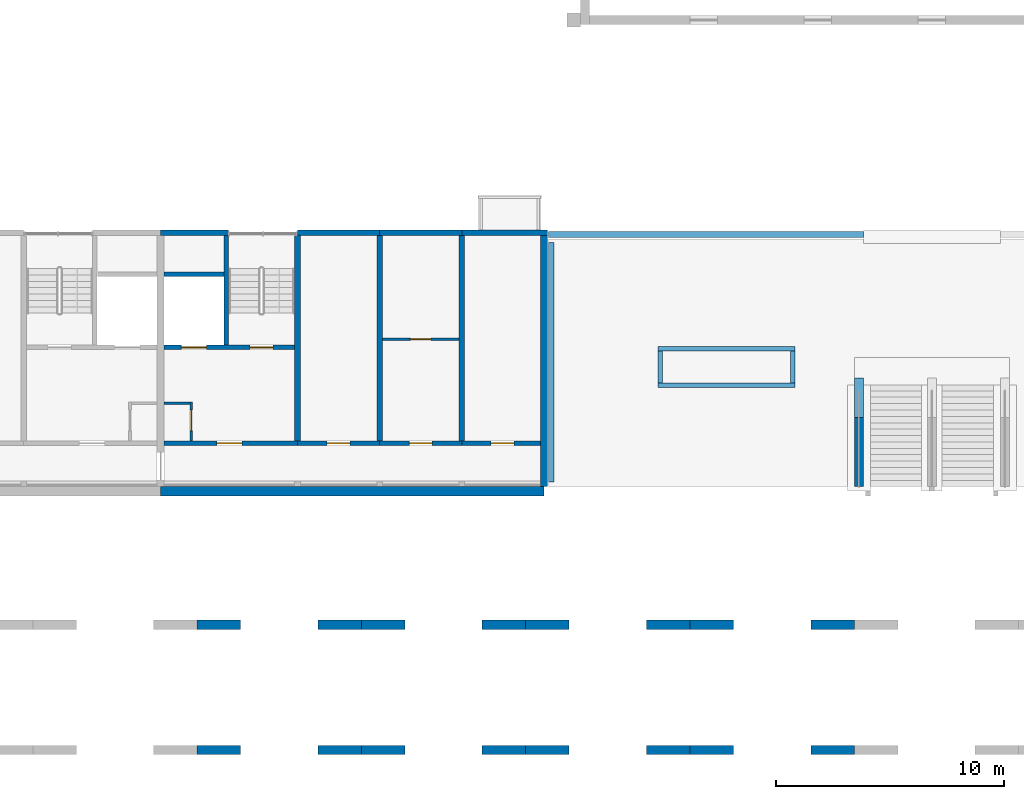
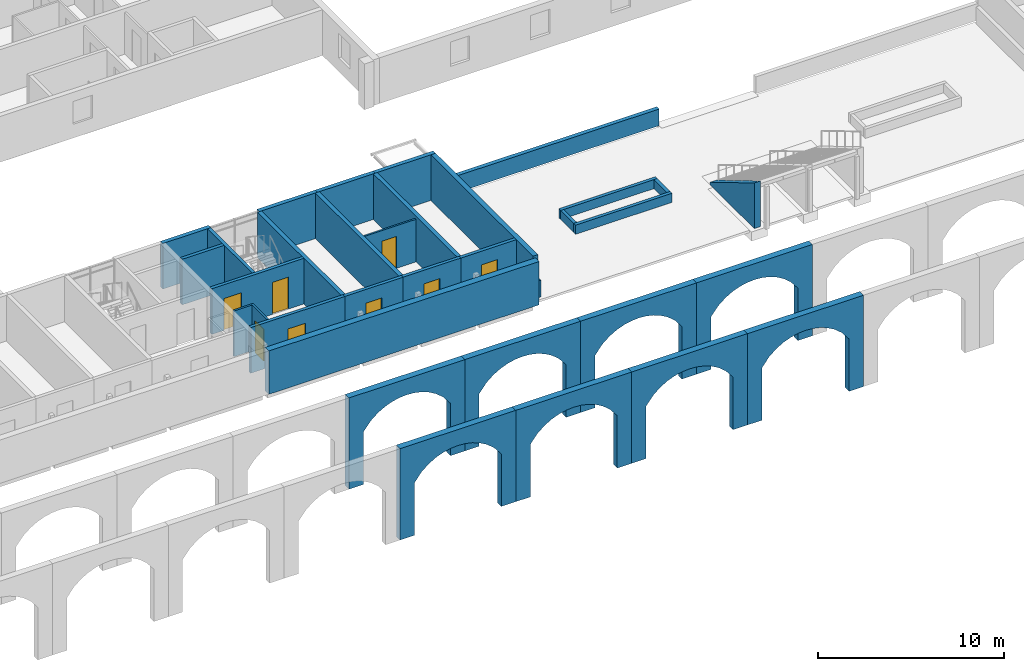
# One storey, part 57 of 122: 34 walls, 8 doors, 8 openings.
"""IFC4 building model written with IfcOpenShell, lengths in metres."""

from ifc_helpers import new_model, si_unit, direction, frame, frame_2d, origin, place, context, subcontext, project, spatial, polyline, rectangle, outline, extrude, material, layer, layer_set, type_object, element, fill, save


model = new_model("IFC4")

# Units and contexts
model_context = context("Model", 3, precision=1e-05, world=origin(), true_north=direction((0.0, 1.0)))
body_context = subcontext(model_context, "Body", "Model", "MODEL_VIEW")
ifc_project = project(units=[si_unit("LENGTHUNIT", "METRE"), si_unit("AREAUNIT", "SQUARE_METRE"), si_unit("VOLUMEUNIT", "CUBIC_METRE"), si_unit("PLANEANGLEUNIT", "RADIAN"), si_unit("MASSUNIT", "GRAM", prefix="KILO")], contexts=[model_context])

# Site, building, storey
site_placement = place(None, origin())
site = spatial("IfcSite", under=ifc_project, at=site_placement, CompositionType="ELEMENT")
building_placement = place(site_placement, origin())
building = spatial("IfcBuilding", under=site, at=building_placement, Name="Ridgestep Commons", CompositionType="ELEMENT")
storey_placement = place(building_placement, frame((0.0, 0.0, 3.0)))
storey = spatial("IfcBuildingStorey", under=building, at=storey_placement, Name="L01", CompositionType="ELEMENT", Elevation=3.0)

# Walls
ifc_material_1 = material(Name="Concrete C30/37", Category="concrete")
ifc_layer_1 = layer(ifc_material_1, 0.199951171875)
ifc_layer_set_1 = layer_set([ifc_layer_1], Name="Community planter wall 200")
wall_type_1 = type_object("IfcWallType", Name="Community planter wall 200", PredefinedType="SOLIDWALL", material=ifc_layer_set_1)
for number, where, z_axis, x_axis, name in (
    (1, (117.800048828125, 16.199951171875, 0.0), (0.0, 0.0, 1.0), (1.0, 0.0, 0.0), "Planter wall"),
    (2, (117.800048828125, 17.800048828125, 0.0), (0.0, 0.0, 1.0), (1.0, 0.0, 0.0), "Planter wall"),
):
    element("IfcWall", number, at=place(storey_placement, frame(where, z_axis=z_axis, x_axis=x_axis)), inside=storey, type_object=wall_type_1, Name=name, PredefinedType="SOLIDWALL", context=body_context, shape_type="SweptSolid", body=[
        extrude(rectangle(XDim=6.0, YDim=0.199951171875, at=frame_2d((3.0, 0.0))), origin(), (0.0, 0.0, 1.0), 0.60009765625),
    ])
for number, where, z_axis, x_axis, name in (
    (3, (117.89990234375, 16.300048828125, 0.0), (0.0, 0.0, 1.0), (0.0, 1.0, 0.0), "Planter wall"),
    (4, (123.699951171875, 16.300048828125, 0.0), (0.0, 0.0, 1.0), (0.0, 1.0, 0.0), "Planter wall"),
):
    element("IfcWall", number, at=place(storey_placement, frame(where, z_axis=z_axis, x_axis=x_axis)), inside=storey, type_object=wall_type_1, Name=name, PredefinedType="SOLIDWALL", context=body_context, shape_type="SweptSolid", body=[
        extrude(rectangle(XDim=1.39990234375, YDim=0.199951171875, at=frame_2d((0.699951171875, 0.0))), origin(), (0.0, 0.0, 1.0), 0.60009765625),
    ])
ifc_material_2 = material(Name="Concrete C30/37", Category="concrete")
ifc_layer_2 = layer(ifc_material_2, 0.39990234375)
ifc_layer_set_2 = layer_set([ifc_layer_2], Name="Community retaining wall 400")
wall_type_2 = type_object("IfcWallType", Name="Community retaining wall 400", PredefinedType="SOLIDWALL", material=ifc_layer_set_2)
wall_1_placement = place(storey_placement, frame((126.60009765625, 11.75, 0.0), z_axis=(0.0, 0.0, 1.0), x_axis=(0.0, 1.0, 0.0)))
element("IfcWall", 5, at=wall_1_placement, inside=storey, type_object=wall_type_2, Name="Stair cheek wall", PredefinedType="SOLIDWALL", context=body_context, shape_type="SweptSolid", body=[
    extrude(outline(polyline([(0.0, 0.0), (4.760009765625, 0.0), (4.760009765625, 0.166748046875), (0.0, 3.0), (0.0, 0.0)])), frame((0.0, 0.199951171875, 0.0), z_axis=(0.0, -1.0, 0.0), x_axis=(1.0, 0.0, 0.0)), (0.0, 0.0, 1.0), 0.39990234375),
])
ifc_material_3 = material(Name="Precast concrete C40/50", Category="concrete")
ifc_layer_3 = layer(ifc_material_3, 0.39990234375)
ifc_layer_set_3 = layer_set([ifc_layer_3], Name="Community south arcade inner wall 400")
wall_type_3 = type_object("IfcWallType", Name="Community south arcade inner wall 400", PredefinedType="SOLIDWALL", material=ifc_layer_set_3)
wall_2_placement = place(storey_placement, frame((97.60009765625, 5.5, -3.25), z_axis=(0.0, -1.0, 0.0), x_axis=(1.0, 0.0, 0.0)))
element("IfcWall", 6, at=wall_2_placement, inside=storey, type_object=wall_type_3, Name="South arcade inner wall", PredefinedType="SOLIDWALL", context=body_context, shape_type="SweptSolid", body=[
    extrude(outline(polyline([(0.0, 0.0), (0.89990234375, 0.0), (0.89990234375, 3.449951171875), (1.349853515625, 4.01708984375), (1.7998046875, 4.3916015625), (2.25, 4.649169921875), (2.699951171875, 4.820068359375), (3.14990234375, 4.91796875), (3.599853515625, 4.949951171875), (4.0498046875, 4.91796875), (4.5, 4.820068359375), (4.949951171875, 4.649169921875), (5.39990234375, 4.3916015625), (5.849853515625, 4.01708984375), (6.2998046875, 3.449951171875), (6.2998046875, 0.0), (7.199951171875, 0.0), (7.199951171875, 6.0), (0.0, 6.0), (0.0, 0.0)])), origin(), (0.0, 0.0, -1.0), 0.39990234375),
])
wall_3_placement = place(storey_placement, frame((104.800048828125, 5.5, -3.25), z_axis=(0.0, -1.0, 0.0), x_axis=(1.0, 0.0, 0.0)))
element("IfcWall", 7, at=wall_3_placement, inside=storey, type_object=wall_type_3, Name="South arcade inner wall", PredefinedType="SOLIDWALL", context=body_context, shape_type="SweptSolid", body=[
    extrude(outline(polyline([(0.0, 0.0), (0.89990234375, 0.0), (0.89990234375, 3.449951171875), (1.349853515625, 4.01708984375), (1.800048828125, 4.3916015625), (2.25, 4.649169921875), (2.699951171875, 4.820068359375), (3.14990234375, 4.91796875), (3.599853515625, 4.949951171875), (4.050048828125, 4.91796875), (4.5, 4.820068359375), (4.949951171875, 4.649169921875), (5.39990234375, 4.3916015625), (5.849853515625, 4.01708984375), (6.300048828125, 3.449951171875), (6.300048828125, 0.0), (7.199951171875, 0.0), (7.199951171875, 6.0), (0.0, 6.0), (0.0, 0.0)])), origin(), (0.0, 0.0, -1.0), 0.39990234375),
])
wall_4_placement = place(storey_placement, frame((112.0, 5.5, -3.25), z_axis=(0.0, -1.0, 0.0), x_axis=(1.0, 0.0, 0.0)))
element("IfcWall", 8, at=wall_4_placement, inside=storey, type_object=wall_type_3, Name="South arcade inner wall", PredefinedType="SOLIDWALL", context=body_context, shape_type="SweptSolid", body=[
    extrude(outline(polyline([(0.0, 0.0), (0.89990234375, 0.0), (0.89990234375, 3.449951171875), (1.35009765625, 4.01708984375), (1.800048828125, 4.3916015625), (2.25, 4.649169921875), (2.699951171875, 4.820068359375), (3.14990234375, 4.91796875), (3.60009765625, 4.949951171875), (4.050048828125, 4.91796875), (4.5, 4.820068359375), (4.949951171875, 4.649169921875), (5.39990234375, 4.3916015625), (5.85009765625, 4.01708984375), (6.300048828125, 3.449951171875), (6.300048828125, 0.0), (7.199951171875, 0.0), (7.199951171875, 6.0), (0.0, 6.0), (0.0, 0.0)])), origin(), (0.0, 0.0, -1.0), 0.39990234375),
])
wall_5_placement = place(storey_placement, frame((119.199951171875, 5.5, -3.25), z_axis=(0.0, -1.0, 0.0), x_axis=(1.0, 0.0, 0.0)))
element("IfcWall", 9, at=wall_5_placement, inside=storey, type_object=wall_type_3, Name="South arcade inner wall", PredefinedType="SOLIDWALL", context=body_context, shape_type="SweptSolid", body=[
    extrude(outline(polyline([(0.0, 0.0), (0.900146484375, 0.0), (0.900146484375, 3.449951171875), (1.35009765625, 4.01708984375), (1.800048828125, 4.3916015625), (2.25, 4.649169921875), (2.699951171875, 4.820068359375), (3.150146484375, 4.91796875), (3.60009765625, 4.949951171875), (4.050048828125, 4.91796875), (4.5, 4.820068359375), (4.949951171875, 4.649169921875), (5.400146484375, 4.3916015625), (5.85009765625, 4.01708984375), (6.300048828125, 3.449951171875), (6.300048828125, 0.0), (7.199951171875, 0.0), (7.199951171875, 6.0), (0.0, 6.0), (0.0, 0.0)])), origin(), (0.0, 0.0, -1.0), 0.39990234375),
])
ifc_material_4 = material(Name="Precast concrete C40/50", Category="concrete")
ifc_layer_4 = layer(ifc_material_4, 0.39990234375)
ifc_layer_set_4 = layer_set([ifc_layer_4], Name="Community south arcade wall 400")
wall_type_4 = type_object("IfcWallType", Name="Community south arcade wall 400", PredefinedType="SOLIDWALL", material=ifc_layer_set_4)
wall_6_placement = place(storey_placement, frame((97.60009765625, 0.001953125, -3.25), z_axis=(0.0, -1.0, 0.0), x_axis=(1.0, 0.0, 0.0)))
element("IfcWall", 10, at=wall_6_placement, inside=storey, type_object=wall_type_4, Name="South arcade wall", PredefinedType="SOLIDWALL", context=body_context, shape_type="SweptSolid", body=[
    extrude(outline(polyline([(0.0, 0.0), (0.89990234375, 0.0), (0.89990234375, 3.449951171875), (1.349853515625, 4.01708984375), (1.7998046875, 4.3916015625), (2.25, 4.649169921875), (2.699951171875, 4.820068359375), (3.14990234375, 4.91796875), (3.599853515625, 4.949951171875), (4.0498046875, 4.91796875), (4.5, 4.820068359375), (4.949951171875, 4.649169921875), (5.39990234375, 4.3916015625), (5.849853515625, 4.01708984375), (6.2998046875, 3.449951171875), (6.2998046875, 0.0), (7.199951171875, 0.0), (7.199951171875, 6.0), (0.0, 6.0), (0.0, 0.0)])), origin(), (0.0, 0.0, -1.0), 0.39990234375),
])
wall_7_placement = place(storey_placement, frame((104.800048828125, 0.001953125, -3.25), z_axis=(0.0, -1.0, 0.0), x_axis=(1.0, 0.0, 0.0)))
element("IfcWall", 11, at=wall_7_placement, inside=storey, type_object=wall_type_4, Name="South arcade wall", PredefinedType="SOLIDWALL", context=body_context, shape_type="SweptSolid", body=[
    extrude(outline(polyline([(0.0, 0.0), (0.89990234375, 0.0), (0.89990234375, 3.449951171875), (1.349853515625, 4.01708984375), (1.800048828125, 4.3916015625), (2.25, 4.649169921875), (2.699951171875, 4.820068359375), (3.14990234375, 4.91796875), (3.599853515625, 4.949951171875), (4.050048828125, 4.91796875), (4.5, 4.820068359375), (4.949951171875, 4.649169921875), (5.39990234375, 4.3916015625), (5.849853515625, 4.01708984375), (6.300048828125, 3.449951171875), (6.300048828125, 0.0), (7.199951171875, 0.0), (7.199951171875, 6.0), (0.0, 6.0), (0.0, 0.0)])), origin(), (0.0, 0.0, -1.0), 0.39990234375),
])
wall_8_placement = place(storey_placement, frame((112.0, 0.001953125, -3.25), z_axis=(0.0, -1.0, 0.0), x_axis=(1.0, 0.0, 0.0)))
element("IfcWall", 12, at=wall_8_placement, inside=storey, type_object=wall_type_4, Name="South arcade wall", PredefinedType="SOLIDWALL", context=body_context, shape_type="SweptSolid", body=[
    extrude(outline(polyline([(0.0, 0.0), (0.89990234375, 0.0), (0.89990234375, 3.449951171875), (1.35009765625, 4.01708984375), (1.800048828125, 4.3916015625), (2.25, 4.649169921875), (2.699951171875, 4.820068359375), (3.14990234375, 4.91796875), (3.60009765625, 4.949951171875), (4.050048828125, 4.91796875), (4.5, 4.820068359375), (4.949951171875, 4.649169921875), (5.39990234375, 4.3916015625), (5.85009765625, 4.01708984375), (6.300048828125, 3.449951171875), (6.300048828125, 0.0), (7.199951171875, 0.0), (7.199951171875, 6.0), (0.0, 6.0), (0.0, 0.0)])), origin(), (0.0, 0.0, -1.0), 0.39990234375),
])
wall_9_placement = place(storey_placement, frame((119.199951171875, 0.001953125, -3.25), z_axis=(0.0, -1.0, 0.0), x_axis=(1.0, 0.0, 0.0)))
element("IfcWall", 13, at=wall_9_placement, inside=storey, type_object=wall_type_4, Name="South arcade wall", PredefinedType="SOLIDWALL", context=body_context, shape_type="SweptSolid", body=[
    extrude(outline(polyline([(0.0, 0.0), (0.900146484375, 0.0), (0.900146484375, 3.449951171875), (1.35009765625, 4.01708984375), (1.800048828125, 4.3916015625), (2.25, 4.649169921875), (2.699951171875, 4.820068359375), (3.150146484375, 4.91796875), (3.60009765625, 4.949951171875), (4.050048828125, 4.91796875), (4.5, 4.820068359375), (4.949951171875, 4.649169921875), (5.400146484375, 4.3916015625), (5.85009765625, 4.01708984375), (6.300048828125, 3.449951171875), (6.300048828125, 0.0), (7.199951171875, 0.0), (7.199951171875, 6.0), (0.0, 6.0), (0.0, 0.0)])), origin(), (0.0, 0.0, -1.0), 0.39990234375),
])
ifc_material_5 = material(Name="Precast concrete C40/50", Category="concrete")
ifc_layer_5 = layer(ifc_material_5, 0.25)
ifc_layer_set_5 = layer_set([ifc_layer_5], Name="Community terrace parapet 250")
wall_type_5 = type_object("IfcWallType", Name="Community terrace parapet 250", PredefinedType="PARAPET", material=ifc_layer_set_5)
wall_10_placement = place(storey_placement, frame((113.0, 22.800048828125, 0.0), z_axis=(0.0, 0.0, 1.0), x_axis=(1.0, 0.0, 0.0)))
element("IfcWall", 14, at=wall_10_placement, inside=storey, type_object=wall_type_5, Name="Terrace parapet", PredefinedType="PARAPET", context=body_context, shape_type="SweptSolid", body=[
    extrude(rectangle(XDim=13.800048828125, YDim=0.25, at=frame_2d((6.89990234375, 0.0))), origin(), (0.0, 0.0, 1.0), 1.10009765625),
])
wall_11_placement = place(storey_placement, frame((113.125, 11.949951171875, 0.0), z_axis=(0.0, 0.0, 1.0), x_axis=(0.0, 1.0, 0.0)))
element("IfcWall", 15, at=wall_11_placement, inside=storey, type_object=wall_type_5, Name="Terrace parapet", PredefinedType="PARAPET", context=body_context, shape_type="SweptSolid", body=[
    extrude(rectangle(XDim=10.5, YDim=0.25, at=frame_2d((5.25, 0.0))), origin(), (0.0, 0.0, 1.0), 1.10009765625),
])
ifc_material_6 = material(Name="Concrete C30/37", Category="concrete")
ifc_layer_6 = layer(ifc_material_6, 0.25)
ifc_layer_set_6 = layer_set([ifc_layer_6], Name="Core cross wall 250")
wall_type_6 = type_object("IfcWallType", Name="Core cross wall 250", PredefinedType="SHEAR", material=ifc_layer_set_6)
wall_12_placement = place(storey_placement, frame((102.0, 13.75, 0.0), z_axis=(0.0, 0.0, 1.0), x_axis=(0.0, 1.0, 0.0)))
element("IfcWall", 16, at=wall_12_placement, inside=storey, type_object=wall_type_6, Name="Cross wall A-01-1020", PredefinedType="SHEAR", context=body_context, shape_type="SweptSolid", body=[
    extrude(rectangle(XDim=9.0, YDim=0.25, at=frame_2d((4.5, 0.0))), origin(), (0.0, 0.0, 1.0), 3.0),
])

# Wall, opening, door
ifc_material_7 = material(Name="Concrete C30/37", Category="concrete")
ifc_layer_7 = layer(ifc_material_7, 0.199951171875)
ifc_layer_set_7 = layer_set([ifc_layer_7], Name="Core south wall 200")
wall_type_7 = type_object("IfcWallType", Name="Core south wall 200", PredefinedType="SHEAR", material=ifc_layer_set_7)
wall_13_placement = place(storey_placement, frame((96.14990234375, 13.64990234375, 0.0), z_axis=(0.0, 0.0, 1.0), x_axis=(1.0, 0.0, 0.0)))
wall_13 = element("IfcWall", 17, at=wall_13_placement, inside=storey, type_object=wall_type_7, Name="Core south wall A6C L01", PredefinedType="SHEAR", context=body_context, shape_type="SweptSolid", body=[
    extrude(rectangle(XDim=5.85009765625, YDim=0.199951171875, at=frame_2d((2.925048828125, 0.0))), origin(), (0.0, 0.0, 1.0), 3.0),
])
opening_1_placement = place(wall_13_placement, frame((2.3125, 0.0, 0.0)))
opening_1 = element("IfcOpeningElement", 18, at=opening_1_placement, cuts=wall_13, Name="Opening A6C/01/1", PredefinedType="OPENING", context=body_context, shape_type="SweptSolid", body=[
    extrude(rectangle(XDim=1.10009765625, YDim=2.10009765625, at=frame_2d((0.550048828125, 1.050048828125))), frame((0.0, 0.10986328125, 0.0), z_axis=(0.0, -1.0, 0.0), x_axis=(1.0, 0.0, 0.0)), (0.0, 0.0, 1.0), 0.219970703125),
])
ifc_material_8 = material(Name="Steel fire door", Category="steel")
door_type_1 = type_object("IfcDoorType", Name="Lobby door 1100 x 2100 FD60", OperationType="NOTDEFINED", PredefinedType="DOOR", material=ifc_material_8)
door_1_placement = place(opening_1_placement, origin())
door_1 = element("IfcDoor", 19, at=door_1_placement, inside=storey, type_object=door_type_1, Name="Lobby door A6C/01/1", OperationType="SINGLE_SWING_LEFT", OverallHeight=2.10009765625, OverallWidth=1.10009765625, PredefinedType="DOOR", context=body_context, shape_type="SweptSolid", body=[
    extrude(rectangle(XDim=1.10009765625, YDim=2.10009765625, at=frame_2d((0.550048828125, 1.050048828125))), frame((0.0, 0.02490234375, 0.0), z_axis=(0.0, -1.0, 0.0), x_axis=(1.0, 0.0, 0.0)), (0.0, 0.0, 1.0), 0.050048828125),
])
fill(opening_1, door_1)

ifc_material_9 = material(Name="Concrete C30/37", Category="concrete")
ifc_layer_8 = layer(ifc_material_9, 0.1201171875)
ifc_layer_set_8 = layer_set([ifc_layer_8], Name="Core wall 120")
wall_type_8 = type_object("IfcWallType", Name="Core wall 120", PredefinedType="SHEAR", material=ifc_layer_set_8)
wall_14_placement = place(storey_placement, frame((97.340087890625, 13.75, 0.0), z_axis=(0.0, 0.0, 1.0), x_axis=(0.0, 1.0, 0.0)))
wall_14 = element("IfcWall", 20, at=wall_14_placement, inside=storey, type_object=wall_type_8, Name="Core riser w wall A6C L01", PredefinedType="SHEAR", context=body_context, shape_type="SweptSolid", body=[
    extrude(rectangle(XDim=1.719970703125, YDim=0.1201171875, at=frame_2d((0.85986328125, 0.0))), origin(), (0.0, 0.0, 1.0), 3.0),
])
opening_2_placement = place(wall_14_placement, frame((0.449951171875, 0.0, 0.0)))
opening_2 = element("IfcOpeningElement", 21, at=opening_2_placement, cuts=wall_14, Name="Opening A6C/01/4", PredefinedType="OPENING", context=body_context, shape_type="SweptSolid", body=[
    extrude(rectangle(XDim=0.89990234375, YDim=2.10009765625, at=frame_2d((0.449951171875, 1.050048828125))), frame((0.0, 0.070068359375, 0.0), z_axis=(0.0, -1.0, 0.0), x_axis=(1.0, 0.0, 0.0)), (0.0, 0.0, 1.0), 0.14013671875),
])
ifc_material_10 = material(Name="Steel fire door", Category="steel")
door_type_2 = type_object("IfcDoorType", Name="Riser door 900 x 2100 FD60", OperationType="NOTDEFINED", PredefinedType="DOOR", material=ifc_material_10)
door_2_placement = place(opening_2_placement, origin())
door_2 = element("IfcDoor", 22, at=door_2_placement, inside=storey, type_object=door_type_2, Name="Riser door A6C/01/4", OperationType="SINGLE_SWING_RIGHT", OverallHeight=2.10009765625, OverallWidth=0.89990234375, PredefinedType="DOOR", context=body_context, shape_type="SweptSolid", body=[
    extrude(rectangle(XDim=0.89990234375, YDim=2.10009765625, at=frame_2d((0.449951171875, 1.050048828125))), frame((0.0, 0.02490234375, 0.0), z_axis=(0.0, -1.0, 0.0), x_axis=(1.0, 0.0, 0.0)), (0.0, 0.0, 1.0), 0.050048828125),
])
fill(opening_2, door_2)

# Wall
wall_15_placement = place(storey_placement, frame((96.14990234375, 15.409912109375, 0.0), z_axis=(0.0, 0.0, 1.0), x_axis=(1.0, 0.0, 0.0)))
element("IfcWall", 23, at=wall_15_placement, inside=storey, type_object=wall_type_8, Name="Core riser n wall A6C L01", PredefinedType="SHEAR", context=body_context, shape_type="SweptSolid", body=[
    extrude(rectangle(XDim=1.130126953125, YDim=0.1201171875, at=frame_2d((0.56494140625, 0.0))), origin(), (0.0, 0.0, 1.0), 3.0),
])

# Wall, openings, doors
ifc_material_11 = material(Name="Concrete C30/37", Category="concrete")
ifc_layer_9 = layer(ifc_material_11, 0.199951171875)
ifc_layer_set_9 = layer_set([ifc_layer_9], Name="Core wall 200")
wall_type_9 = type_object("IfcWallType", Name="Core wall 200", PredefinedType="SHEAR", material=ifc_layer_set_9)
wall_16_placement = place(storey_placement, frame((96.14990234375, 17.85009765625, 0.0), z_axis=(0.0, 0.0, 1.0), x_axis=(1.0, 0.0, 0.0)))
wall_16 = element("IfcWall", 24, at=wall_16_placement, inside=storey, type_object=wall_type_9, Name="Core lobby wall A6C L01", PredefinedType="SHEAR", context=body_context, shape_type="SweptSolid", body=[
    extrude(rectangle(XDim=5.72509765625, YDim=0.199951171875, at=frame_2d((2.862548828125, 0.0))), origin(), (0.0, 0.0, 1.0), 3.0),
])
opening_3_placement = place(wall_16_placement, frame((3.77490234375, 0.0, 0.0)))
opening_3 = element("IfcOpeningElement", 25, at=opening_3_placement, cuts=wall_16, Name="Opening A6C/01/2", PredefinedType="OPENING", context=body_context, shape_type="SweptSolid", body=[
    extrude(rectangle(XDim=1.0, YDim=2.10009765625, at=frame_2d((0.5, 1.050048828125))), frame((0.0, 0.10986328125, 0.0), z_axis=(0.0, -1.0, 0.0), x_axis=(1.0, 0.0, 0.0)), (0.0, 0.0, 1.0), 0.219970703125),
])
opening_4_placement = place(wall_16_placement, frame((0.762451171875, 0.0, 0.0)))
opening_4 = element("IfcOpeningElement", 26, at=opening_4_placement, cuts=wall_16, Name="Opening A6C/01/3", PredefinedType="OPENING", context=body_context, shape_type="SweptSolid", body=[
    extrude(rectangle(XDim=1.10009765625, YDim=2.10009765625, at=frame_2d((0.550048828125, 1.050048828125))), frame((0.0, 0.10986328125, 0.0), z_axis=(0.0, -1.0, 0.0), x_axis=(1.0, 0.0, 0.0)), (0.0, 0.0, 1.0), 0.219970703125),
])
ifc_material_12 = material(Name="Stainless steel", Category="steel")
door_type_3 = type_object("IfcDoorType", Name="Lift landing door 1100 x 2100 FD60", OperationType="DOUBLE_DOOR_SLIDING", PredefinedType="DOOR", material=ifc_material_12)
door_3_placement = place(opening_4_placement, origin())
door_3 = element("IfcDoor", 27, at=door_3_placement, inside=storey, type_object=door_type_3, Name="Landing door LD A6C L01", OperationType="DOUBLE_DOOR_SLIDING", OverallHeight=2.10009765625, OverallWidth=1.10009765625, PredefinedType="DOOR", context=body_context, shape_type="SweptSolid", body=[
    extrude(rectangle(XDim=1.10009765625, YDim=2.10009765625, at=frame_2d((0.550048828125, 1.050048828125))), frame((0.0, 0.02490234375, 0.0), z_axis=(0.0, -1.0, 0.0), x_axis=(1.0, 0.0, 0.0)), (0.0, 0.0, 1.0), 0.050048828125),
])
fill(opening_4, door_3)
ifc_material_13 = material(Name="Steel fire door", Category="steel")
door_type_4 = type_object("IfcDoorType", Name="Stair door 1000 x 2100 FD60", OperationType="NOTDEFINED", PredefinedType="DOOR", material=ifc_material_13)
door_4_placement = place(opening_3_placement, origin())
door_4 = element("IfcDoor", 28, at=door_4_placement, inside=storey, type_object=door_type_4, Name="Stair door A6C/01/2", OperationType="SINGLE_SWING_RIGHT", OverallHeight=2.10009765625, OverallWidth=1.0, PredefinedType="DOOR", context=body_context, shape_type="SweptSolid", body=[
    extrude(rectangle(XDim=1.0, YDim=2.10009765625, at=frame_2d((0.5, 1.050048828125))), frame((0.0, 0.02490234375, 0.0), z_axis=(0.0, -1.0, 0.0), x_axis=(1.0, 0.0, 0.0)), (0.0, 0.0, 1.0), 0.050048828125),
])
fill(opening_3, door_4)

# Walls
wall_17_placement = place(storey_placement, frame((98.875, 17.949951171875, 0.0), z_axis=(0.0, 0.0, 1.0), x_axis=(0.0, 1.0, 0.0)))
element("IfcWall", 29, at=wall_17_placement, inside=storey, type_object=wall_type_9, Name="Core stair wall A6C L01", PredefinedType="SHEAR", context=body_context, shape_type="SweptSolid", body=[
    extrude(rectangle(XDim=4.800048828125, YDim=0.199951171875, at=frame_2d((2.39990234375, 0.0))), origin(), (0.0, 0.0, 1.0), 3.0),
])
wall_18_placement = place(storey_placement, frame((96.14990234375, 21.050048828125, 0.0), z_axis=(0.0, 0.0, 1.0), x_axis=(1.0, 0.0, 0.0)))
element("IfcWall", 30, at=wall_18_placement, inside=storey, type_object=wall_type_9, Name="Core duct wall A6C L01", PredefinedType="SHEAR", context=body_context, shape_type="SweptSolid", body=[
    extrude(rectangle(XDim=2.625, YDim=0.199951171875, at=frame_2d((1.3125, 0.0))), origin(), (0.0, 0.0, 1.0), 3.0),
])
ifc_material_14 = material(Name="Precast concrete C40/50", Category="concrete")
ifc_layer_10 = layer(ifc_material_14, 0.25)
ifc_layer_set_10 = layer_set([ifc_layer_10], Name="Cross wall 250")
wall_type_10 = type_object("IfcWallType", Name="Cross wall 250", PredefinedType="SHEAR", material=ifc_layer_set_10)
for number, where, z_axis, x_axis, name in (
    (31, (105.60009765625, 13.75, 0.0), (0.0, 0.0, 1.0), (0.0, 1.0, 0.0), "Cross wall A-01-1056"),
    (32, (109.199951171875, 13.75, 0.0), (0.0, 0.0, 1.0), (0.0, 1.0, 0.0), "Cross wall A-01-1092"),
):
    element("IfcWall", number, at=place(storey_placement, frame(where, z_axis=z_axis, x_axis=x_axis)), inside=storey, type_object=wall_type_10, Name=name, PredefinedType="SHEAR", context=body_context, shape_type="SweptSolid", body=[
        extrude(rectangle(XDim=9.0, YDim=0.25, at=frame_2d((4.5, 0.0))), origin(), (0.0, 0.0, 1.0), 3.0),
    ])
ifc_material_15 = material(Name="Precast concrete C40/50", Category="concrete")
ifc_layer_11 = layer(ifc_material_15, 0.300048828125)
ifc_layer_set_11 = layer_set([ifc_layer_11], Name="Exposed division wall 300")
wall_type_11 = type_object("IfcWallType", Name="Exposed division wall 300", PredefinedType="SHEAR", material=ifc_layer_set_11)
wall_19_placement = place(storey_placement, frame((112.800048828125, 11.75, 0.0), z_axis=(0.0, 0.0, 1.0), x_axis=(0.0, 1.0, 0.0)))
element("IfcWall", 33, at=wall_19_placement, inside=storey, type_object=wall_type_11, Name="Cross wall A-01-1128", PredefinedType="SHEAR", context=body_context, shape_type="SweptSolid", body=[
    extrude(rectangle(XDim=11.0, YDim=0.300048828125, at=frame_2d((5.5, 0.0))), origin(), (0.0, 0.0, 1.0), 3.0),
])
ifc_material_16 = material(Name="Precast concrete C40/50", Category="concrete")
ifc_layer_12 = layer(ifc_material_16, 0.25)
ifc_layer_set_12 = layer_set([ifc_layer_12], Name="North facade panel 250")
wall_type_12 = type_object("IfcWallType", Name="North facade panel 250", PredefinedType="SOLIDWALL", material=ifc_layer_set_12)
wall_20_placement = place(storey_placement, frame((96.0, 22.875, 0.0), z_axis=(0.0, 0.0, 1.0), x_axis=(1.0, 0.0, 0.0)))
element("IfcWall", 34, at=wall_20_placement, inside=storey, type_object=wall_type_12, Name="North panel A6C L01", PredefinedType="SOLIDWALL", context=body_context, shape_type="SweptSolid", body=[
    extrude(rectangle(XDim=2.97509765625, YDim=0.25, at=frame_2d((1.487548828125, 0.0))), origin(), (0.0, 0.0, 1.0), 3.0),
])
wall_21_placement = place(storey_placement, frame((102.0, 22.875, 0.0), z_axis=(0.0, 0.0, 1.0), x_axis=(1.0, 0.0, 0.0)))
element("IfcWall", 35, at=wall_21_placement, inside=storey, type_object=wall_type_12, Name="North panel A6T3 L01", PredefinedType="SOLIDWALL", context=body_context, shape_type="SweptSolid", body=[
    extrude(rectangle(XDim=3.60009765625, YDim=0.25, at=frame_2d((1.800048828125, 0.0))), origin(), (0.0, 0.0, 1.0), 3.0),
])
wall_22_placement = place(storey_placement, frame((105.60009765625, 22.875, 0.0), z_axis=(0.0, 0.0, 1.0), x_axis=(1.0, 0.0, 0.0)))
element("IfcWall", 36, at=wall_22_placement, inside=storey, type_object=wall_type_12, Name="North panel A6T2 L01", PredefinedType="SOLIDWALL", context=body_context, shape_type="SweptSolid", body=[
    extrude(rectangle(XDim=3.599853515625, YDim=0.25, at=frame_2d((1.7998046875, 0.0))), origin(), (0.0, 0.0, 1.0), 3.0),
])
wall_23_placement = place(storey_placement, frame((109.199951171875, 22.875, 0.0), z_axis=(0.0, 0.0, 1.0), x_axis=(1.0, 0.0, 0.0)))
element("IfcWall", 37, at=wall_23_placement, inside=storey, type_object=wall_type_12, Name="North panel A6T1 L01", PredefinedType="SOLIDWALL", context=body_context, shape_type="SweptSolid", body=[
    extrude(rectangle(XDim=3.75, YDim=0.25, at=frame_2d((1.875, 0.0))), origin(), (0.0, 0.0, 1.0), 3.0),
])

# Wall, opening, door
ifc_material_17 = material(Name="Common brick 110 mm", Category="masonry")
ifc_layer_13 = layer(ifc_material_17, 0.110107421875)
ifc_layer_set_13 = layer_set([ifc_layer_13], Name="Partition 110")
wall_type_13 = type_object("IfcWallType", Name="Partition 110", PredefinedType="PARTITIONING", material=ifc_layer_set_13)
wall_24_placement = place(storey_placement, frame((105.72509765625, 18.205078125, 0.0), z_axis=(0.0, 0.0, 1.0), x_axis=(1.0, 0.0, 0.0)))
wall_24 = element("IfcWall", 38, at=wall_24_placement, inside=storey, type_object=wall_type_13, Name="Partition A6-01p", PredefinedType="PARTITIONING", context=body_context, shape_type="SweptSolid", body=[
    extrude(rectangle(XDim=3.349853515625, YDim=0.110107421875, at=frame_2d((1.6748046875, 0.0))), origin(), (0.0, 0.0, 1.0), 2.800048828125),
])
opening_5_placement = place(wall_24_placement, frame((1.22509765625, 0.0, 0.0)))
opening_5 = element("IfcOpeningElement", 39, at=opening_5_placement, cuts=wall_24, Name="Opening A6-01p/3", PredefinedType="OPENING", context=body_context, shape_type="SweptSolid", body=[
    extrude(rectangle(XDim=0.89990234375, YDim=2.10009765625, at=frame_2d((0.449951171875, 1.050048828125))), frame((0.0, 0.06494140625, 0.0), z_axis=(0.0, -1.0, 0.0), x_axis=(1.0, 0.0, 0.0)), (0.0, 0.0, 1.0), 0.130126953125),
])
ifc_material_18 = material(Name="Timber door leaf", Category="wood")
door_type_5 = type_object("IfcDoorType", Name="Internal door 900 x 2100", OperationType="NOTDEFINED", PredefinedType="DOOR", material=ifc_material_18)
door_5_placement = place(opening_5_placement, origin())
door_5 = element("IfcDoor", 40, at=door_5_placement, inside=storey, type_object=door_type_5, Name="Internal door A6-01p/3", OperationType="SINGLE_SWING_RIGHT", OverallHeight=2.10009765625, OverallWidth=0.89990234375, PredefinedType="DOOR", context=body_context, shape_type="SweptSolid", body=[
    extrude(rectangle(XDim=0.89990234375, YDim=2.10009765625, at=frame_2d((0.449951171875, 1.050048828125))), frame((0.0, 0.02490234375, 0.0), z_axis=(0.0, -1.0, 0.0), x_axis=(1.0, 0.0, 0.0)), (0.0, 0.0, 1.0), 0.050048828125),
])
fill(opening_5, door_5)

# Wall
ifc_material_19 = material(Name="Concrete C30/37", Category="concrete")
ifc_layer_14 = layer(ifc_material_19, 0.39990234375)
ifc_layer_set_14 = layer_set([ifc_layer_14], Name="Plinth retaining wall 400")
wall_type_14 = type_object("IfcWallType", Name="Plinth retaining wall 400", PredefinedType="SOLIDWALL", material=ifc_layer_set_14)
wall_25_placement = place(storey_placement, frame((96.0, 11.550048828125, 0.0), z_axis=(0.0, 0.0, 1.0), x_axis=(1.0, 0.0, 0.0)))
element("IfcWall", 41, at=wall_25_placement, inside=storey, type_object=wall_type_14, Name="Plinth retaining wall A6 L01", PredefinedType="SOLIDWALL", context=body_context, shape_type="SweptSolid", body=[
    extrude(rectangle(XDim=16.800048828125, YDim=0.39990234375, at=frame_2d((8.39990234375, 0.0))), origin(), (0.0, 0.0, 1.0), 2.85009765625),
])

# Wall, opening, door
ifc_material_20 = material(Name="Precast concrete C40/50", Category="concrete")
ifc_layer_15 = layer(ifc_material_20, 0.199951171875)
ifc_layer_set_15 = layer_set([ifc_layer_15], Name="South facade panel 200")
wall_type_15 = type_object("IfcWallType", Name="South facade panel 200", PredefinedType="SOLIDWALL", material=ifc_layer_set_15)
wall_26_placement = place(storey_placement, frame((102.0, 13.64990234375, 0.0), z_axis=(0.0, 0.0, 1.0), x_axis=(1.0, 0.0, 0.0)))
wall_26 = element("IfcWall", 42, at=wall_26_placement, inside=storey, type_object=wall_type_15, Name="South panel A6T3 L01", PredefinedType="SOLIDWALL", context=body_context, shape_type="SweptSolid", body=[
    extrude(rectangle(XDim=3.60009765625, YDim=0.199951171875, at=frame_2d((1.800048828125, 0.0))), origin(), (0.0, 0.0, 1.0), 3.0),
])
opening_6_placement = place(wall_26_placement, frame((1.300048828125, 0.0, 0.0)))
opening_6 = element("IfcOpeningElement", 43, at=opening_6_placement, cuts=wall_26, Name="Opening A6-01p/1", PredefinedType="OPENING", context=body_context, shape_type="SweptSolid", body=[
    extrude(rectangle(XDim=1.0, YDim=2.10009765625, at=frame_2d((0.5, 1.050048828125))), frame((0.0, 0.10986328125, 0.0), z_axis=(0.0, -1.0, 0.0), x_axis=(1.0, 0.0, 0.0)), (0.0, 0.0, 1.0), 0.219970703125),
])
ifc_material_21 = material(Name="Steel door leaf", Category="steel")
door_type_6 = type_object("IfcDoorType", Name="Store door 1000 x 2100", OperationType="NOTDEFINED", PredefinedType="DOOR", material=ifc_material_21)
door_6_placement = place(opening_6_placement, origin())
door_6 = element("IfcDoor", 44, at=door_6_placement, inside=storey, type_object=door_type_6, Name="Store door A6-01p/1", OperationType="SINGLE_SWING_RIGHT", OverallHeight=2.10009765625, OverallWidth=1.0, PredefinedType="DOOR", context=body_context, shape_type="SweptSolid", body=[
    extrude(rectangle(XDim=1.0, YDim=2.10009765625, at=frame_2d((0.5, 1.050048828125))), frame((0.0, 0.02490234375, 0.0), z_axis=(0.0, -1.0, 0.0), x_axis=(1.0, 0.0, 0.0)), (0.0, 0.0, 1.0), 0.050048828125),
])
fill(opening_6, door_6)

wall_27_placement = place(storey_placement, frame((105.60009765625, 13.64990234375, 0.0), z_axis=(0.0, 0.0, 1.0), x_axis=(1.0, 0.0, 0.0)))
wall_27 = element("IfcWall", 45, at=wall_27_placement, inside=storey, type_object=wall_type_15, Name="South panel A6T2 L01", PredefinedType="SOLIDWALL", context=body_context, shape_type="SweptSolid", body=[
    extrude(rectangle(XDim=3.599853515625, YDim=0.199951171875, at=frame_2d((1.7998046875, 0.0))), origin(), (0.0, 0.0, 1.0), 3.0),
])
opening_7_placement = place(wall_27_placement, frame((1.300048828125, 0.0, 0.0)))
opening_7 = element("IfcOpeningElement", 46, at=opening_7_placement, cuts=wall_27, Name="Opening A6-01p/2", PredefinedType="OPENING", context=body_context, shape_type="SweptSolid", body=[
    extrude(rectangle(XDim=1.0, YDim=2.10009765625, at=frame_2d((0.5, 1.050048828125))), frame((0.0, 0.10986328125, 0.0), z_axis=(0.0, -1.0, 0.0), x_axis=(1.0, 0.0, 0.0)), (0.0, 0.0, 1.0), 0.219970703125),
])
door_7_placement = place(opening_7_placement, origin())
door_7 = element("IfcDoor", 47, at=door_7_placement, inside=storey, type_object=door_type_6, Name="Store door A6-01p/2", OperationType="SINGLE_SWING_RIGHT", OverallHeight=2.10009765625, OverallWidth=1.0, PredefinedType="DOOR", context=body_context, shape_type="SweptSolid", body=[
    extrude(rectangle(XDim=1.0, YDim=2.10009765625, at=frame_2d((0.5, 1.050048828125))), frame((0.0, 0.02490234375, 0.0), z_axis=(0.0, -1.0, 0.0), x_axis=(1.0, 0.0, 0.0)), (0.0, 0.0, 1.0), 0.050048828125),
])
fill(opening_7, door_7)

wall_28_placement = place(storey_placement, frame((109.199951171875, 13.64990234375, 0.0), z_axis=(0.0, 0.0, 1.0), x_axis=(1.0, 0.0, 0.0)))
wall_28 = element("IfcWall", 48, at=wall_28_placement, inside=storey, type_object=wall_type_15, Name="South panel A6T1 L01", PredefinedType="SOLIDWALL", context=body_context, shape_type="SweptSolid", body=[
    extrude(rectangle(XDim=3.449951171875, YDim=0.199951171875, at=frame_2d((1.72509765625, 0.0))), origin(), (0.0, 0.0, 1.0), 3.0),
])
opening_8_placement = place(wall_28_placement, frame((1.28759765625, 0.0, 0.0)))
opening_8 = element("IfcOpeningElement", 49, at=opening_8_placement, cuts=wall_28, Name="Opening A6-01p/4", PredefinedType="OPENING", context=body_context, shape_type="SweptSolid", body=[
    extrude(rectangle(XDim=1.0, YDim=2.10009765625, at=frame_2d((0.5, 1.050048828125))), frame((0.0, 0.10986328125, 0.0), z_axis=(0.0, -1.0, 0.0), x_axis=(1.0, 0.0, 0.0)), (0.0, 0.0, 1.0), 0.219970703125),
])
door_8_placement = place(opening_8_placement, origin())
door_8 = element("IfcDoor", 50, at=door_8_placement, inside=storey, type_object=door_type_6, Name="Store door A6-01p/4", OperationType="SINGLE_SWING_RIGHT", OverallHeight=2.10009765625, OverallWidth=1.0, PredefinedType="DOOR", context=body_context, shape_type="SweptSolid", body=[
    extrude(rectangle(XDim=1.0, YDim=2.10009765625, at=frame_2d((0.5, 1.050048828125))), frame((0.0, 0.02490234375, 0.0), z_axis=(0.0, -1.0, 0.0), x_axis=(1.0, 0.0, 0.0)), (0.0, 0.0, 1.0), 0.050048828125),
])
fill(opening_8, door_8)

save(model, "model.ifc")
